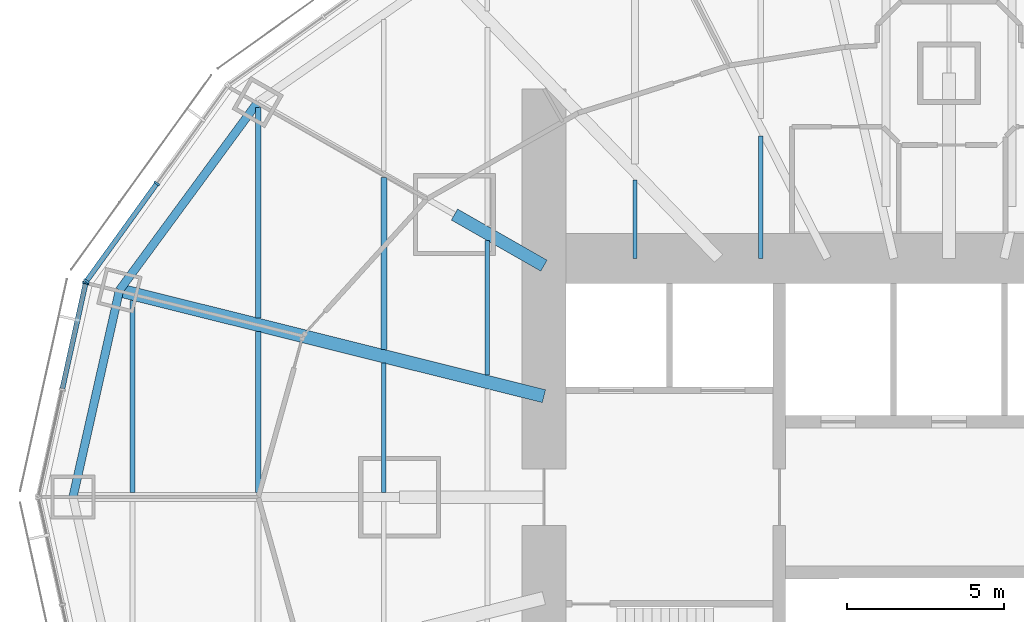
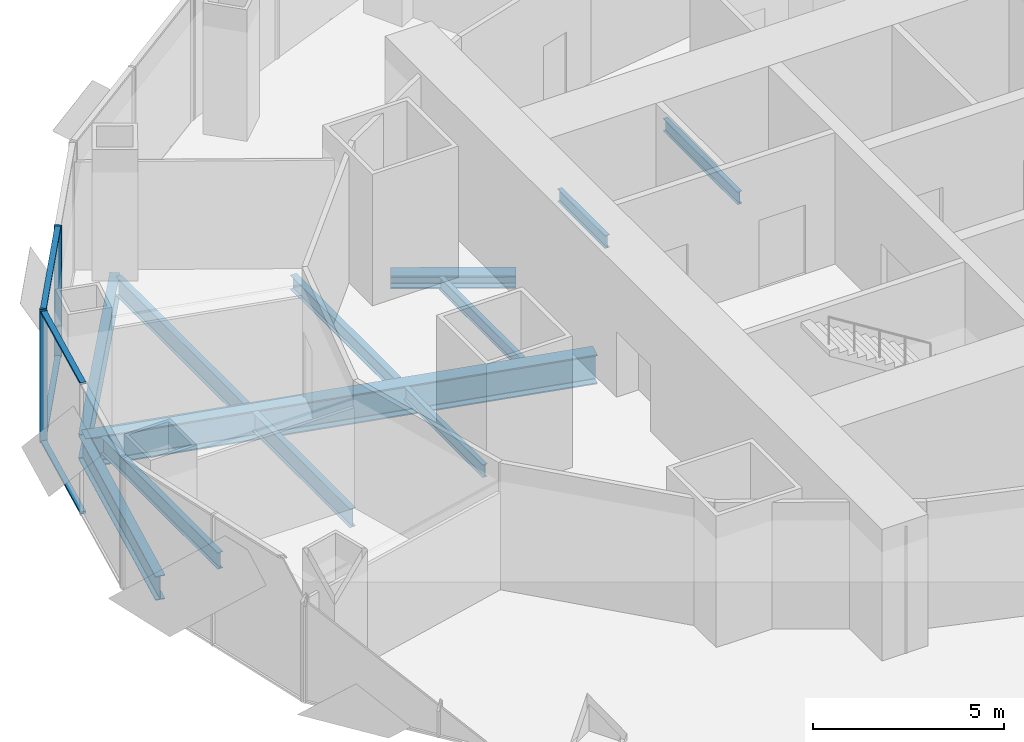
# One storey, part 4 of 17: 12 beams, 7 members, 2 elements without a shape of their own.
"""IFC4 building model written with IfcOpenShell, lengths in metres."""

import ifcopenshell
import ifcopenshell.guid

model = None  # the IFC model being written
_history = None  # IfcOwnerHistory: only IFC2X3 demands one
_inside = {}  # id of a spatial element -> (the spatial element, [elements in it])
_under = {}  # id of a project, library or spatial element -> (it, [spatial elements below it])
_declared = {}  # id of a project -> (the project, [libraries it declares])
_typed = {}  # id of a type object -> (the type object, [elements of that type])
_made_of = {}  # id of a material, layer set ... -> (it, [elements and type objects made of it])


def new_model(schema):
    """Start an empty IFC model of exactly this schema.

    Asked for "IFC4X3", IfcOpenShell would pick the latest addendum, in which some entities
    have other attributes; the version numbers below select the first issue.
    IFC2X3 requires an IfcOwnerHistory on every rooted entity: one is made here for all.
    """
    global model, _history
    if schema == "IFC4X3":
        model = ifcopenshell.file(schema_version=(4, 3, 0, 0))
    else:
        model = ifcopenshell.file(schema=schema)
    _inside.clear()
    _under.clear()
    _declared.clear()
    _typed.clear()
    _made_of.clear()
    _history = None
    if model.schema == "IFC2X3":
        org = make("IfcOrganization", Name="unknown")
        user = make(
            "IfcPersonAndOrganization",
            ThePerson=make("IfcPerson", FamilyName="unknown"),
            TheOrganization=org,
        )
        app = make(
            "IfcApplication",
            ApplicationDeveloper=org,
            Version="unknown",
            ApplicationFullName="unknown",
            ApplicationIdentifier="unknown",
        )
        _history = make(
            "IfcOwnerHistory",
            OwningUser=user,
            OwningApplication=app,
            ChangeAction="ADDED",
            CreationDate=0,
        )
    return model


def make(cls, **values):
    """One entity of the class cls with the attributes given. An attribute that is None is left unset."""
    return model.create_entity(
        cls, **{name: value for name, value in values.items() if value is not None}
    )


def rooted(cls, **values):
    """An entity with a GlobalId (a new one), such as an element, a storey or a relation."""
    return make(cls, GlobalId=ifcopenshell.guid.new(), OwnerHistory=_history, **values)


def si_unit(unit_type, name, prefix=None):
    """IfcSIUnit, for example si_unit("LENGTHUNIT", "METRE", prefix="MILLI")."""
    return make("IfcSIUnit", UnitType=unit_type, Prefix=prefix, Name=name)


def assignment(units):
    """IfcUnitAssignment: the units of a project."""
    return None if units is None else make("IfcUnitAssignment", Units=units)


def point(xyz):
    """IfcCartesianPoint."""
    return None if xyz is None else make("IfcCartesianPoint", Coordinates=xyz)


def direction(xyz):
    """IfcDirection."""
    return None if xyz is None else make("IfcDirection", DirectionRatios=xyz)


def frame(location, z_axis=None, x_axis=None):
    """IfcAxis2Placement3D, a coordinate frame: its origin and axes. An axis left out is left unset."""
    return make(
        "IfcAxis2Placement3D",
        Location=point(location),
        Axis=direction(z_axis),
        RefDirection=direction(x_axis),
    )


def frame_2d(location, x_axis=None):
    """IfcAxis2Placement2D, a coordinate frame in the plane: its origin and x axis."""
    return make(
        "IfcAxis2Placement2D", Location=point(location), RefDirection=direction(x_axis)
    )


def origin():
    """The frame at (0, 0, 0) with its axes left unset."""
    return frame((0.0, 0.0, 0.0))


def origin_2d():
    """The frame at (0, 0) in the plane with its x axis left unset."""
    return frame_2d((0.0, 0.0))


def place(relative_to, where):
    """IfcLocalPlacement: puts the frame where relative to a parent placement (None: the world)."""
    return make(
        "IfcLocalPlacement", PlacementRelTo=relative_to, RelativePlacement=where
    )


def context(
    kind, dimensions, precision=None, world=None, true_north=None, identifier=None
):
    """IfcGeometricRepresentationContext, for example the 3D "Model" context."""
    return make(
        "IfcGeometricRepresentationContext",
        ContextIdentifier=identifier,
        ContextType=kind,
        CoordinateSpaceDimension=dimensions,
        Precision=precision,
        WorldCoordinateSystem=world,
        TrueNorth=true_north,
    )


def subcontext(parent, identifier, kind, view, scale=None):
    """IfcGeometricRepresentationSubContext, for example "Body" below "Model"."""
    return make(
        "IfcGeometricRepresentationSubContext",
        ContextIdentifier=identifier,
        ContextType=kind,
        ParentContext=parent,
        TargetScale=scale,
        TargetView=view,
    )


def project(units=None, contexts=None):
    """IfcProject with its units and contexts."""
    return rooted(
        "IfcProject",
        Name="project",
        RepresentationContexts=contexts,
        UnitsInContext=assignment(units),
    )


def spatial(cls, under=None, at=None, **own):
    """A site, building, storey or space (cls), placed at a placement, below another one or the project."""
    s = rooted(cls, ObjectPlacement=at, **own)
    if under is not None:
        _under.setdefault(under.id(), (under, []))[1].append(s)
    return s


def profile(cls, at=None, kind="AREA", **sizes):
    """A parametric profile (cls). Its sizes go by their IFC names, for example OverallWidth=200.0."""
    return make(cls, ProfileType=kind, Position=at, **sizes)


def rectangle(**sizes):
    """IfcRectangleProfileDef."""
    return profile("IfcRectangleProfileDef", **sizes)


def i_section(**sizes):
    """IfcIShapeProfileDef."""
    return profile("IfcIShapeProfileDef", **sizes)


def extrude(swept, where, along, depth):
    """IfcExtrudedAreaSolid: the profile swept, set in the frame where, extruded along a direction by depth."""
    return make(
        "IfcExtrudedAreaSolid",
        SweptArea=swept,
        Position=where,
        ExtrudedDirection=direction(along),
        Depth=depth,
    )


def shape(context_of_items, identifier, shape_type, items):
    """IfcShapeRepresentation: the items that make up one representation, for example the "Body"."""
    return make(
        "IfcShapeRepresentation",
        ContextOfItems=context_of_items,
        RepresentationIdentifier=identifier,
        RepresentationType=shape_type,
        Items=items,
    )


def material(Name=None, Category=None):
    """IfcMaterial."""
    return make("IfcMaterial", Name=Name, Category=Category)


def material_profile(
    of_material, cross_section, Name=None, Category=None, Priority=None
):
    """IfcMaterialProfile: a cross section and its material."""
    return make(
        "IfcMaterialProfile",
        Name=Name,
        Material=of_material,
        Profile=cross_section,
        Priority=Priority,
        Category=Category,
    )


def profile_set(profiles, Name=None, composite=None):
    """IfcMaterialProfileSet."""
    return make(
        "IfcMaterialProfileSet",
        Name=Name,
        MaterialProfiles=profiles,
        CompositeProfile=composite,
    )


def made_of(thing, what):
    """Note that an element or type object is made of a material, layer set ...; save() writes the relation."""
    if what is not None:
        _made_of.setdefault(what.id(), (what, []))[1].append(thing)
    return thing


def type_object(cls, material=None, **own):
    """A type object (cls), such as IfcWallType, which elements share."""
    return made_of(rooted(cls, **own), material)


def element(
    cls,
    number,
    at=None,
    inside=None,
    cuts=None,
    type_object=None,
    material=None,
    context=None,
    identifier="Body",
    shape_type=None,
    held_by="IfcProductDefinitionShape",
    body=None,
    shapes=None,
    **own,
):
    """One element of the class cls, such as IfcWall. Its Tag is "e" and its number.

    at: its placement. inside: the storey or other place that contains it. cuts: it is an
    opening in that element (IfcRelVoidsElement). A single representation is given by context,
    identifier, shape_type and body (its items); several are given by shapes. held_by: the class
    of the entity that holds the representations. save() writes the other relations.
    """
    e = rooted(cls, Tag="e%d" % number, ObjectPlacement=at, **own)
    if body is not None:
        shapes = [shape(context, identifier, shape_type, body)]
    if shapes is not None:
        e.Representation = make(held_by, Representations=shapes)
    if inside is not None:
        _inside.setdefault(inside.id(), (inside, []))[1].append(e)
    if cuts is not None:
        rooted(
            "IfcRelVoidsElement", RelatingBuildingElement=cuts, RelatedOpeningElement=e
        )
    if type_object is not None:
        _typed.setdefault(type_object.id(), (type_object, []))[1].append(e)
    return made_of(e, material)


def aggregate(whole, parts):
    """IfcRelAggregates: a whole, such as a stair, and the parts it consists of."""
    return rooted("IfcRelAggregates", RelatingObject=whole, RelatedObjects=parts)


def save(model, path):
    """Write the relations noted so far, then the file.

    IfcRelAggregates (storeys below a building ...), IfcRelContainedInSpatialStructure (elements
    in a storey), IfcRelDefinesByType, IfcRelAssociatesMaterial and IfcRelDeclares: one each for
    every whole, place, type object, material and project.
    """
    for whole, parts in _under.values():
        aggregate(whole, parts)
    for where, things in _inside.values():
        rooted(
            "IfcRelContainedInSpatialStructure",
            RelatedElements=things,
            RelatingStructure=where,
        )
    for kind, things in _typed.values():
        rooted("IfcRelDefinesByType", RelatedObjects=things, RelatingType=kind)
    for what, things in _made_of.values():
        rooted("IfcRelAssociatesMaterial", RelatedObjects=things, RelatingMaterial=what)
    for by, libraries in _declared.values():
        rooted("IfcRelDeclares", RelatingContext=by, RelatedDefinitions=libraries)
    model.write(path)


model = new_model("IFC4")

# Units and contexts
model_context = context("Model", 3, precision=1e-05, world=origin(), true_north=direction((0.0, 1.0)))
body_context = subcontext(model_context, "Body", "Model", "MODEL_VIEW")
ifc_project = project(units=[si_unit("LENGTHUNIT", "METRE"), si_unit("AREAUNIT", "SQUARE_METRE"), si_unit("VOLUMEUNIT", "CUBIC_METRE"), si_unit("PLANEANGLEUNIT", "RADIAN"), si_unit("MASSUNIT", "GRAM", prefix="KILO")], contexts=[model_context])

# Site, building, storey
site_placement = place(None, origin())
site = spatial("IfcSite", under=ifc_project, at=site_placement, CompositionType="ELEMENT")
building_placement = place(site_placement, origin())
building = spatial("IfcBuilding", under=site, at=building_placement, Name="Lantaw Convention Tower", CompositionType="ELEMENT")
storey_placement = place(building_placement, frame((0.0, 0.0, 121.60009765625)))
storey = spatial("IfcBuildingStorey", under=building, at=storey_placement, Name="L28", CompositionType="ELEMENT", Elevation=121.60009765625)

# Beams
ifc_material_1 = material(Name="Steel ASTM A992", Category="steel")
ifc_material_profile_1 = material_profile(ifc_material_1, i_section(OverallWidth=0.2666015625, OverallDepth=0.76953125, WebThickness=0.015625, FlangeThickness=0.025390625, FilletRadius=0.0126953125, at=origin_2d()), Name="W30X132")
ifc_profile_set_1 = profile_set([ifc_material_profile_1], Name="Steel ASTM A992")
beam_type_1 = type_object("IfcBeamType", Name="Beam E W30X132", PredefinedType="SPANDREL", material=ifc_profile_set_1)
beam_1_placement = place(storey_placement, frame((-22.013916015625, 12.579345703125, -0.534912109375), z_axis=(-0.5923891972, -0.805651934176, 0.0), x_axis=(0.805651934176, -0.5923891972, 0.0)))
element("IfcBeam", 1, at=beam_1_placement, inside=storey, type_object=beam_type_1, Name="Edge beam 11", PredefinedType="SPANDREL", context=body_context, shape_type="SweptSolid", body=[
    extrude(i_section(OverallWidth=0.2666015625, OverallDepth=0.76953125, WebThickness=0.015625, FlangeThickness=0.025390625, FilletRadius=0.0126953125, at=origin_2d()), origin(), (0.0, 0.0, 1.0), 7.437744140625),
])
beam_2_placement = place(storey_placement, frame((-26.419921875, 6.587158203125, -0.534912109375), z_axis=(-0.219211877447, -0.975677279015, 0.0), x_axis=(0.975677279015, -0.219211877447, 0.0)))
element("IfcBeam", 2, at=beam_2_placement, inside=storey, type_object=beam_type_1, Name="Edge beam 12", PredefinedType="SPANDREL", context=body_context, shape_type="SweptSolid", body=[
    extrude(i_section(OverallWidth=0.2666015625, OverallDepth=0.76953125, WebThickness=0.015625, FlangeThickness=0.025390625, FilletRadius=0.0126953125, at=origin_2d()), origin(), (0.0, 0.0, 1.0), 6.75146484375),
])
ifc_material_profile_2 = material_profile(ifc_material_1, i_section(OverallWidth=0.421630859375, OverallDepth=0.937255859375, WebThickness=0.0224609375, FlangeThickness=0.039794921875, FilletRadius=0.02001953125, at=origin_2d()), Name="W36X282")
ifc_profile_set_2 = profile_set([ifc_material_profile_2], Name="Steel ASTM A992")
beam_type_2 = type_object("IfcBeamType", Name="Beam G W36X282", PredefinedType="BEAM", material=ifc_profile_set_2)
beam_3_placement = place(storey_placement, frame((-12.89990234375, 3.21630859375, -0.61865234375), z_axis=(-0.970296903132, 0.24191717544, 0.0), x_axis=(-0.24191717544, -0.970296903132, 0.0)))
element("IfcBeam", 3, at=beam_3_placement, inside=storey, type_object=beam_type_2, Name="Floor girder on ray 12", PredefinedType="BEAM", context=body_context, shape_type="SweptSolid", body=[
    extrude(i_section(OverallWidth=0.421630859375, OverallDepth=0.937255859375, WebThickness=0.0224609375, FlangeThickness=0.039794921875, FilletRadius=0.02001953125, at=origin_2d()), origin(), (0.0, 0.0, 1.0), 13.933837890625),
])
ifc_material_profile_3 = material_profile(ifc_material_1, i_section(OverallWidth=0.40380859375, OverallDepth=0.406494140625, WebThickness=0.027099609375, FlangeThickness=0.043701171875, FilletRadius=0.01513671875, at=origin_2d()), Name="W14X233")
ifc_profile_set_3 = profile_set([ifc_material_profile_3], Name="Steel ASTM A992")
beam_type_3 = type_object("IfcBeamType", Name="Beam GM W14X233", PredefinedType="BEAM", material=ifc_profile_set_3)
beam_4_placement = place(storey_placement, frame((-12.89990234375, 7.371337890625, -0.353271484375), z_axis=(-0.868238565244, 0.496146947811, 0.0), x_axis=(-0.496146947811, -0.868238565244, 0.0)))
element("IfcBeam", 4, at=beam_4_placement, inside=storey, type_object=beam_type_3, Name="Core link beam on ray 11", PredefinedType="BEAM", context=body_context, shape_type="SweptSolid", body=[
    extrude(i_section(OverallWidth=0.40380859375, OverallDepth=0.406494140625, WebThickness=0.027099609375, FlangeThickness=0.043701171875, FilletRadius=0.01513671875, at=origin_2d()), origin(), (0.0, 0.0, 1.0), 3.28271484375),
])
ifc_material_profile_4 = material_profile(ifc_material_1, i_section(OverallWidth=0.140380859375, OverallDepth=0.40380859375, WebThickness=0.007080078125, FlangeThickness=0.01123046875, FilletRadius=0.01025390625, at=origin_2d()), Name="W16X31")
ifc_profile_set_4 = profile_set([ifc_material_profile_4], Name="Steel ASTM A992")
beam_type_4 = type_object("IfcBeamType", Name="Beam J W16X31", PredefinedType="JOIST", material=ifc_profile_set_4)
beam_5_placement = place(storey_placement, frame((-18.0, 0.14599609375, -0.35205078125), z_axis=(0.0, 1.0, 0.0), x_axis=(-1.0, 0.0, 0.0)))
element("IfcBeam", 5, at=beam_5_placement, inside=storey, type_object=beam_type_4, Name="Floor joist", PredefinedType="JOIST", context=body_context, shape_type="SweptSolid", body=[
    extrude(i_section(OverallWidth=0.140380859375, OverallDepth=0.40380859375, WebThickness=0.007080078125, FlangeThickness=0.01123046875, FilletRadius=0.01025390625, at=origin_2d()), origin(), (0.0, 0.0, 1.0), 4.124755859375),
])
beam_6_placement = place(storey_placement, frame((-14.699951171875, 3.88232421875, -0.35205078125), z_axis=(0.0, 1.0, 0.0), x_axis=(-1.0, 0.0, 0.0)))
element("IfcBeam", 6, at=beam_6_placement, inside=storey, type_object=beam_type_4, Name="Floor joist", PredefinedType="JOIST", context=body_context, shape_type="SweptSolid", body=[
    extrude(i_section(OverallWidth=0.140380859375, OverallDepth=0.40380859375, WebThickness=0.007080078125, FlangeThickness=0.01123046875, FilletRadius=0.01025390625, at=origin_2d()), origin(), (0.0, 0.0, 1.0), 4.28515625),
])
beam_7_placement = place(storey_placement, frame((-10.0, 7.60009765625, -0.35205078125), z_axis=(0.0, 1.0, 0.0), x_axis=(-1.0, 0.0, 0.0)))
element("IfcBeam", 7, at=beam_7_placement, inside=storey, type_object=beam_type_4, Name="Floor joist", PredefinedType="JOIST", context=body_context, shape_type="SweptSolid", body=[
    extrude(i_section(OverallWidth=0.140380859375, OverallDepth=0.40380859375, WebThickness=0.007080078125, FlangeThickness=0.01123046875, FilletRadius=0.01025390625, at=origin_2d()), origin(), (0.0, 0.0, 1.0), 2.49560546875),
])
beam_8_placement = place(storey_placement, frame((-6.0, 7.60009765625, -0.35205078125), z_axis=(0.0, 1.0, 0.0), x_axis=(-1.0, 0.0, 0.0)))
element("IfcBeam", 8, at=beam_8_placement, inside=storey, type_object=beam_type_4, Name="Floor joist", PredefinedType="JOIST", context=body_context, shape_type="SweptSolid", body=[
    extrude(i_section(OverallWidth=0.140380859375, OverallDepth=0.40380859375, WebThickness=0.007080078125, FlangeThickness=0.01123046875, FilletRadius=0.01025390625, at=origin_2d()), origin(), (0.0, 0.0, 1.0), 3.895751953125),
])
ifc_material_profile_5 = material_profile(ifc_material_1, i_section(OverallWidth=0.1904296875, OverallDepth=0.457275390625, WebThickness=0.009033203125, FlangeThickness=0.014404296875, FilletRadius=0.01025390625, at=origin_2d()), Name="W18X50")
ifc_profile_set_5 = profile_set([ifc_material_profile_5], Name="Steel ASTM A992")
beam_type_5 = type_object("IfcBeamType", Name="Beam J W18X50", PredefinedType="JOIST", material=ifc_profile_set_5)
beam_9_placement = place(storey_placement, frame((-18.0, 4.705078125, -0.378662109375), z_axis=(0.0, 1.0, 0.0), x_axis=(-1.0, 0.0, 0.0)))
element("IfcBeam", 9, at=beam_9_placement, inside=storey, type_object=beam_type_5, Name="Floor joist", PredefinedType="JOIST", context=body_context, shape_type="SweptSolid", body=[
    extrude(i_section(OverallWidth=0.1904296875, OverallDepth=0.457275390625, WebThickness=0.009033203125, FlangeThickness=0.014404296875, FilletRadius=0.01025390625, at=origin_2d()), origin(), (0.0, 0.0, 1.0), 5.47802734375),
])
ifc_material_profile_6 = material_profile(ifc_material_1, i_section(OverallWidth=0.1650390625, OverallDepth=0.52587890625, WebThickness=0.0087890625, FlangeThickness=0.011474609375, FilletRadius=0.0126953125, at=origin_2d()), Name="W21X44")
ifc_profile_set_6 = profile_set([ifc_material_profile_6], Name="Steel ASTM A992")
beam_type_6 = type_object("IfcBeamType", Name="Beam J W21X44", PredefinedType="JOIST", material=ifc_profile_set_6)
beam_10_placement = place(storey_placement, frame((-26.0, 0.14599609375, -0.4130859375), z_axis=(0.0, 1.0, 0.0), x_axis=(-1.0, 0.0, 0.0)))
element("IfcBeam", 10, at=beam_10_placement, inside=storey, type_object=beam_type_6, Name="Floor joist", PredefinedType="JOIST", context=body_context, shape_type="SweptSolid", body=[
    extrude(i_section(OverallWidth=0.1650390625, OverallDepth=0.52587890625, WebThickness=0.0087890625, FlangeThickness=0.011474609375, FilletRadius=0.0126953125, at=origin_2d()), origin(), (0.0, 0.0, 1.0), 6.119140625),
])
ifc_material_profile_7 = material_profile(ifc_material_1, i_section(OverallWidth=0.177978515625, OverallDepth=0.599365234375, WebThickness=0.010009765625, FlangeThickness=0.012939453125, FilletRadius=0.012939453125, at=origin_2d()), Name="W24X55")
ifc_profile_set_7 = profile_set([ifc_material_profile_7], Name="Steel ASTM A992")
beam_type_7 = type_object("IfcBeamType", Name="Beam J W24X55", PredefinedType="JOIST", material=ifc_profile_set_7)
beam_11_placement = place(storey_placement, frame((-22.0, 0.14599609375, -0.44970703125), z_axis=(0.0, 1.0, 0.0), x_axis=(-1.0, 0.0, 0.0)))
element("IfcBeam", 11, at=beam_11_placement, inside=storey, type_object=beam_type_7, Name="Floor joist", PredefinedType="JOIST", context=body_context, shape_type="SweptSolid", body=[
    extrude(i_section(OverallWidth=0.177978515625, OverallDepth=0.599365234375, WebThickness=0.010009765625, FlangeThickness=0.012939453125, FilletRadius=0.012939453125, at=origin_2d()), origin(), (0.0, 0.0, 1.0), 5.121826171875),
])
beam_12_placement = place(storey_placement, frame((-22.0, 5.702392578125, -0.44970703125), z_axis=(0.0, 1.0, 0.0), x_axis=(-1.0, 0.0, 0.0)))
element("IfcBeam", 12, at=beam_12_placement, inside=storey, type_object=beam_type_7, Name="Floor joist", PredefinedType="JOIST", context=body_context, shape_type="SweptSolid", body=[
    extrude(i_section(OverallWidth=0.177978515625, OverallDepth=0.599365234375, WebThickness=0.010009765625, FlangeThickness=0.012939453125, FilletRadius=0.012939453125, at=origin_2d()), origin(), (0.0, 0.0, 1.0), 6.70654296875),
])

# Curtain wall, members
ifc_material_2 = material(Name="Aluminium framed curtain wall", Category="aluminium")
curtain_wall_type = type_object("IfcCurtainWallType", Name="Office curtain wall low rise, pale aluminium", PredefinedType="USERDEFINED", material=ifc_material_2)
curtain_wall_1_placement = place(storey_placement, origin())
curtain_wall_1 = element("IfcCurtainWall", 13, at=curtain_wall_1_placement, inside=storey, type_object=curtain_wall_type, Name="Office curtain wall low rise, pale aluminium L28", ObjectType="UNITISED CURTAIN WALL", PredefinedType="USERDEFINED")
ifc_material_3 = material(Name="Aluminium 6063-T6", Category="aluminium")
ifc_material_profile_8 = material_profile(ifc_material_3, rectangle(XDim=0.199951171875, YDim=0.06494140625, at=origin_2d()), Name="CW-O1 mullion 65x200")
ifc_profile_set_8 = profile_set([ifc_material_profile_8], Name="Aluminium 6063-T6")
member_type_1 = type_object("IfcMemberType", Name="CW-O1 mullion 65x200", PredefinedType="MULLION", material=ifc_profile_set_8)
member_1_placement = place(storey_placement, frame((-25.22802734375, 9.9892578125, -0.150146484375), z_axis=(0.0, 0.0, 1.0), x_axis=(0.811384633629, -0.584512597221, 0.0)))
member_1 = element("IfcMember", 14, at=member_1_placement, type_object=member_type_1, Name="CW-O1 mullion 2", PredefinedType="MULLION", context=body_context, shape_type="SweptSolid", body=[
    extrude(rectangle(XDim=0.199951171875, YDim=0.06494140625, at=origin_2d()), origin(), (0.0, 0.0, 1.0), 4.199951171875),
])
member_2_placement = place(storey_placement, frame((-27.46826171875, 6.879638671875, -0.150146484375), z_axis=(0.0, 0.0, 1.0), x_axis=(0.811384633629, -0.584512597221, 0.0)))
member_2 = element("IfcMember", 15, at=member_2_placement, type_object=member_type_1, Name="CW-O1 mullion 3", PredefinedType="MULLION", context=body_context, shape_type="SweptSolid", body=[
    extrude(rectangle(XDim=0.199951171875, YDim=0.06494140625, at=origin_2d()), origin(), (0.0, 0.0, 1.0), 4.199951171875),
])

# Curtain wall, member
curtain_wall_2_placement = place(storey_placement, origin())
curtain_wall_2 = element("IfcCurtainWall", 16, at=curtain_wall_2_placement, inside=storey, type_object=curtain_wall_type, Name="Office curtain wall low rise, pale aluminium L28", ObjectType="UNITISED CURTAIN WALL", PredefinedType="USERDEFINED")
member_3_placement = place(storey_placement, frame((-27.494140625, 6.821533203125, -0.150146484375), z_axis=(0.0, 0.0, 1.0), x_axis=(0.9764936509, -0.215546166174, 0.0)))
member_3 = element("IfcMember", 17, at=member_3_placement, type_object=member_type_1, Name="CW-O1 mullion 1", PredefinedType="MULLION", context=body_context, shape_type="SweptSolid", body=[
    extrude(rectangle(XDim=0.199951171875, YDim=0.06494140625, at=origin_2d()), origin(), (0.0, 0.0, 1.0), 4.199951171875),
])

# Member
ifc_material_profile_9 = material_profile(ifc_material_3, rectangle(XDim=0.159912109375, YDim=0.06494140625, at=origin_2d()), Name="CW-O1 transom 65x160")
ifc_profile_set_9 = profile_set([ifc_material_profile_9], Name="Aluminium 6063-T6")
member_type_2 = type_object("IfcMemberType", Name="CW-O1 transom 65x160", PredefinedType="USERDEFINED", material=ifc_profile_set_9)
member_4_placement = place(storey_placement, frame((-25.2470703125, 9.962890625, -0.11767578125), z_axis=(-0.584512973979, -0.811384362217, 0.0), x_axis=(0.811384362217, -0.584512973979, 0.0)))
member_4 = element("IfcMember", 18, at=member_4_placement, type_object=member_type_2, Name="CW-O1 transom 2.1", ObjectType="TRANSOM", PredefinedType="USERDEFINED", context=body_context, shape_type="SweptSolid", body=[
    extrude(rectangle(XDim=0.159912109375, YDim=0.06494140625, at=origin_2d()), origin(), (0.0, 0.0, 1.0), 3.767578125),
])

member_5_placement = place(storey_placement, frame((-25.2470703125, 9.962890625, 4.017333984375), z_axis=(-0.584512973979, -0.811384362217, 0.0), x_axis=(0.811384362217, -0.584512973979, 0.0)))
member_5 = element("IfcMember", 19, at=member_5_placement, type_object=member_type_2, Name="CW-O1 transom 2.2", ObjectType="TRANSOM", PredefinedType="USERDEFINED", context=body_context, shape_type="SweptSolid", body=[
    extrude(rectangle(XDim=0.159912109375, YDim=0.06494140625, at=origin_2d()), origin(), (0.0, 0.0, 1.0), 3.767578125),
])

aggregate(curtain_wall_1, [member_1, member_2, member_4, member_5])

member_6_placement = place(storey_placement, frame((-27.501220703125, 6.789794921875, -0.11767578125), z_axis=(-0.21555115847, -0.976492548913, 0.0), x_axis=(0.976492548913, -0.21555115847, 0.0)))
member_6 = element("IfcMember", 20, at=member_6_placement, type_object=member_type_2, Name="CW-O1 transom 1.1", ObjectType="TRANSOM", PredefinedType="USERDEFINED", context=body_context, shape_type="SweptSolid", body=[
    extrude(rectangle(XDim=0.159912109375, YDim=0.06494140625, at=origin_2d()), origin(), (0.0, 0.0, 1.0), 3.411376953125),
])

member_7_placement = place(storey_placement, frame((-27.501220703125, 6.789794921875, 4.017333984375), z_axis=(-0.21555115847, -0.976492548913, 0.0), x_axis=(0.976492548913, -0.21555115847, 0.0)))
member_7 = element("IfcMember", 21, at=member_7_placement, type_object=member_type_2, Name="CW-O1 transom 1.2", ObjectType="TRANSOM", PredefinedType="USERDEFINED", context=body_context, shape_type="SweptSolid", body=[
    extrude(rectangle(XDim=0.159912109375, YDim=0.06494140625, at=origin_2d()), origin(), (0.0, 0.0, 1.0), 3.411376953125),
])

aggregate(curtain_wall_2, [member_3, member_6, member_7])

save(model, "model.ifc")
